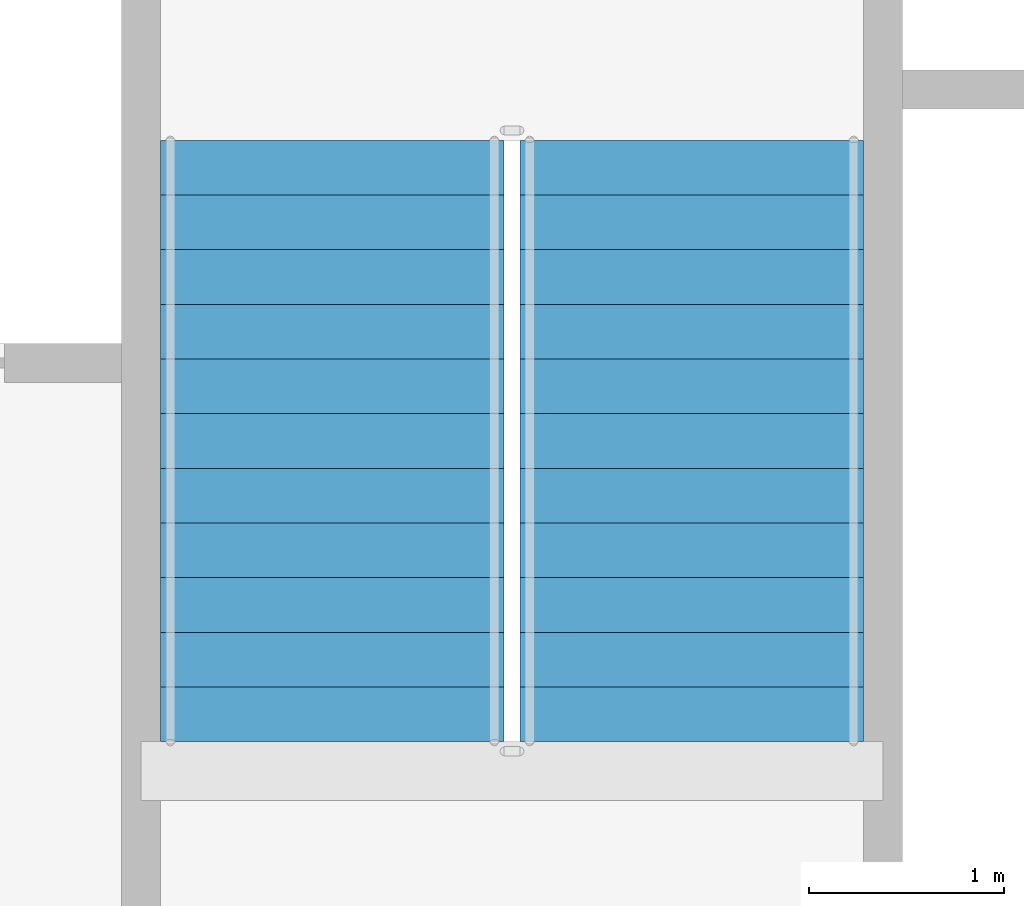
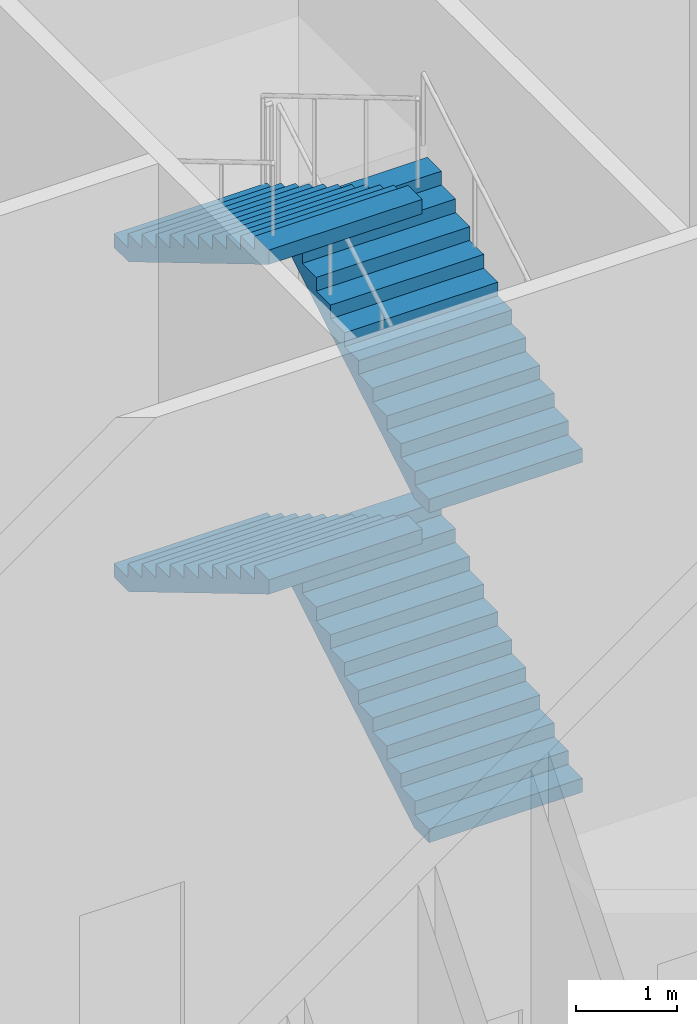
# One storey, part 47 of 55: 4 stair flights, 1 element without a shape of its own.
"""IFC4 building model written with IfcOpenShell, lengths in metres."""

from ifc_helpers import new_model, si_unit, direction, frame, origin, place, context, subcontext, project, spatial, faceted_brep, material, type_object, element, aggregate, save


model = new_model("IFC4")

# Units and contexts
model_context = context("Model", 3, precision=1e-05, world=origin(), true_north=direction((0.0, 1.0)))
body_context = subcontext(model_context, "Body", "Model", "MODEL_VIEW")
ifc_project = project(units=[si_unit("LENGTHUNIT", "METRE"), si_unit("AREAUNIT", "SQUARE_METRE"), si_unit("VOLUMEUNIT", "CUBIC_METRE"), si_unit("PLANEANGLEUNIT", "RADIAN"), si_unit("MASSUNIT", "GRAM", prefix="KILO")], contexts=[model_context])

# Site, building, storey
site_placement = place(None, origin())
site = spatial("IfcSite", under=ifc_project, at=site_placement, CompositionType="ELEMENT")
building_placement = place(site_placement, origin())
building = spatial("IfcBuilding", under=site, at=building_placement, Name="Tarsis Ring Headquarters", CompositionType="ELEMENT")
storey_placement = place(building_placement, frame((0.0, 0.0, 247.199951171875)))
storey = spatial("IfcBuildingStorey", under=building, at=storey_placement, Name="L58", CompositionType="ELEMENT", Elevation=247.199951171875)

# Stair, stair flights
ifc_material_1 = material(Name="Core stair 1760")
stair_type = type_object("IfcStairType", Name="Core stair 1760", PredefinedType="HALF_TURN_STAIR", material=ifc_material_1)
stair_placement = place(storey_placement, origin())
stair = element("IfcStair", 1, at=stair_placement, inside=storey, type_object=stair_type, Name="L58 Exit stair B", PredefinedType="HALF_TURN_STAIR")
ifc_material_2 = material(Name="Concrete C40/50", Category="concrete")
stair_flight_type = type_object("IfcStairFlightType", Name="Core stair flight 1760", PredefinedType="STRAIGHT", material=ifc_material_2)
stair_flight_1_placement = place(storey_placement, frame((5.419921875, 3.659912109375, 0.0), z_axis=(0.0, 0.0, 1.0), x_axis=(0.0, 1.0, 0.0)))
stair_flight_1 = element("IfcStairFlight", 2, at=stair_flight_1_placement, type_object=stair_flight_type, Name="Stair ST2 flight 1", NumberOfRisers=12, NumberOfTreads=11, PredefinedType="STRAIGHT", RiserHeight=0.166666667, TreadLength=0.28, context=body_context, shape_type="Brep", body=[
    faceted_brep([(0.0, 0.8798828125, 0.0), (0.0, 0.8798828125, 0.166748046875), (0.280029296875, 0.8798828125, 0.166748046875), (0.280029296875, 0.8798828125, 0.333251953125), (0.56005859375, 0.8798828125, 0.333251953125), (0.56005859375, 0.8798828125, 0.5), (0.840087890625, 0.8798828125, 0.5), (0.840087890625, 0.8798828125, 0.666748046875), (1.1201171875, 0.8798828125, 0.666748046875), (1.1201171875, 0.8798828125, 0.833251953125), (1.39990234375, 0.8798828125, 0.833251953125), (1.39990234375, 0.8798828125, 1.0), (1.679931640625, 0.8798828125, 1.0), (1.679931640625, 0.8798828125, 1.166748046875), (1.9599609375, 0.8798828125, 1.166748046875), (1.9599609375, 0.8798828125, 1.333251953125), (2.239990234375, 0.8798828125, 1.333251953125), (2.239990234375, 0.8798828125, 1.5), (2.52001953125, 0.8798828125, 1.5), (2.52001953125, 0.8798828125, 1.666748046875), (2.800048828125, 0.8798828125, 1.666748046875), (2.800048828125, 0.8798828125, 1.833251953125), (3.080078125, 0.8798828125, 1.833251953125), (3.080078125, 0.8798828125, 1.658935546875), (0.29296875, 0.8798828125, 0.0), (0.29296875, -0.8798828125, 0.0), (3.080078125, -0.8798828125, 1.658935546875), (3.080078125, -0.8798828125, 1.833251953125), (2.800048828125, -0.8798828125, 1.833251953125), (2.800048828125, -0.8798828125, 1.666748046875), (2.52001953125, -0.8798828125, 1.666748046875), (2.52001953125, -0.8798828125, 1.5), (2.239990234375, -0.8798828125, 1.5), (2.239990234375, -0.8798828125, 1.333251953125), (1.9599609375, -0.8798828125, 1.333251953125), (1.9599609375, -0.8798828125, 1.166748046875), (1.679931640625, -0.8798828125, 1.166748046875), (1.679931640625, -0.8798828125, 1.0), (1.39990234375, -0.8798828125, 1.0), (1.39990234375, -0.8798828125, 0.833251953125), (1.1201171875, -0.8798828125, 0.833251953125), (1.1201171875, -0.8798828125, 0.666748046875), (0.840087890625, -0.8798828125, 0.666748046875), (0.840087890625, -0.8798828125, 0.5), (0.56005859375, -0.8798828125, 0.5), (0.56005859375, -0.8798828125, 0.333251953125), (0.280029296875, -0.8798828125, 0.333251953125), (0.280029296875, -0.8798828125, 0.166748046875), (0.0, -0.8798828125, 0.166748046875), (0.0, -0.8798828125, 0.0), (0.0, -0.43994140625, 0.166748046875), (0.0, -0.43994140625, 0.0), (0.0, 0.0, 0.166748046875), (0.0, 0.0, 0.0), (0.0, 0.43994140625, 0.166748046875), (0.0, 0.43994140625, 0.0), (0.280029296875, -0.43994140625, 0.166748046875), (0.280029296875, 0.0, 0.166748046875), (0.280029296875, 0.43994140625, 0.166748046875), (0.280029296875, -0.43994140625, 0.333251953125), (0.280029296875, 0.0, 0.333251953125), (0.280029296875, 0.43994140625, 0.333251953125), (0.56005859375, -0.43994140625, 0.333251953125), (0.56005859375, 0.0, 0.333251953125), (0.56005859375, 0.43994140625, 0.333251953125), (0.56005859375, -0.43994140625, 0.5), (0.56005859375, 0.0, 0.5), (0.56005859375, 0.43994140625, 0.5), (0.840087890625, -0.43994140625, 0.5), (0.840087890625, 0.0, 0.5), (0.840087890625, 0.43994140625, 0.5), (0.840087890625, -0.43994140625, 0.666748046875), (0.840087890625, 0.0, 0.666748046875), (0.840087890625, 0.43994140625, 0.666748046875), (1.1201171875, -0.43994140625, 0.666748046875), (1.1201171875, 0.0, 0.666748046875), (1.1201171875, 0.43994140625, 0.666748046875), (1.1201171875, -0.43994140625, 0.833251953125), (1.1201171875, 0.0, 0.833251953125), (1.1201171875, 0.43994140625, 0.833251953125), (1.39990234375, -0.43994140625, 0.833251953125), (1.39990234375, 0.0, 0.833251953125), (1.39990234375, 0.43994140625, 0.833251953125), (1.39990234375, -0.43994140625, 1.0), (1.39990234375, 0.0, 1.0), (1.39990234375, 0.43994140625, 1.0), (1.679931640625, -0.43994140625, 1.0), (1.679931640625, 0.0, 1.0), (1.679931640625, 0.43994140625, 1.0), (1.679931640625, -0.43994140625, 1.166748046875), (1.679931640625, 0.0, 1.166748046875), (1.679931640625, 0.43994140625, 1.166748046875), (1.9599609375, -0.43994140625, 1.166748046875), (1.9599609375, 0.0, 1.166748046875), (1.9599609375, 0.43994140625, 1.166748046875), (1.9599609375, -0.43994140625, 1.333251953125), (1.9599609375, 0.0, 1.333251953125), (1.9599609375, 0.43994140625, 1.333251953125), (2.239990234375, -0.43994140625, 1.333251953125), (2.239990234375, 0.0, 1.333251953125), (2.239990234375, 0.43994140625, 1.333251953125), (2.239990234375, -0.43994140625, 1.5), (2.239990234375, 0.0, 1.5), (2.239990234375, 0.43994140625, 1.5), (2.52001953125, -0.43994140625, 1.5), (2.52001953125, 0.0, 1.5), (2.52001953125, 0.43994140625, 1.5), (2.52001953125, -0.43994140625, 1.666748046875), (2.52001953125, 0.0, 1.666748046875), (2.52001953125, 0.43994140625, 1.666748046875), (2.800048828125, -0.43994140625, 1.666748046875), (2.800048828125, 0.0, 1.666748046875), (2.800048828125, 0.43994140625, 1.666748046875), (2.800048828125, -0.43994140625, 1.833251953125), (2.800048828125, 0.0, 1.833251953125), (2.800048828125, 0.43994140625, 1.833251953125), (3.080078125, -0.43994140625, 1.833251953125), (3.080078125, 0.0, 1.833251953125), (3.080078125, 0.43994140625, 1.833251953125), (3.080078125, -0.43994140625, 1.658935546875), (3.080078125, 0.0, 1.658935546875), (3.080078125, 0.43994140625, 1.658935546875), (0.29296875, -0.43994140625, 0.0), (0.29296875, 0.0, 0.0), (0.29296875, 0.43994140625, 0.0)], [[[0, 1, 2, 3, 4, 5, 6, 7, 8, 9, 10, 11, 12, 13, 14, 15, 16, 17, 18, 19, 20, 21, 22, 23, 24]], [[25, 26, 27, 28, 29, 30, 31, 32, 33, 34, 35, 36, 37, 38, 39, 40, 41, 42, 43, 44, 45, 46, 47, 48, 49]], [[49, 48, 50, 51]], [[51, 50, 52, 53]], [[53, 52, 54, 55]], [[55, 54, 1, 0]], [[48, 47, 56, 50]], [[50, 56, 57, 52]], [[52, 57, 58, 54]], [[54, 58, 2, 1]], [[47, 46, 59, 56]], [[56, 59, 60, 57]], [[57, 60, 61, 58]], [[58, 61, 3, 2]], [[46, 45, 62, 59]], [[59, 62, 63, 60]], [[60, 63, 64, 61]], [[61, 64, 4, 3]], [[45, 44, 65, 62]], [[62, 65, 66, 63]], [[63, 66, 67, 64]], [[64, 67, 5, 4]], [[44, 43, 68, 65]], [[65, 68, 69, 66]], [[66, 69, 70, 67]], [[67, 70, 6, 5]], [[43, 42, 71, 68]], [[68, 71, 72, 69]], [[69, 72, 73, 70]], [[70, 73, 7, 6]], [[42, 41, 74, 71]], [[71, 74, 75, 72]], [[72, 75, 76, 73]], [[73, 76, 8, 7]], [[41, 40, 77, 74]], [[74, 77, 78, 75]], [[75, 78, 79, 76]], [[76, 79, 9, 8]], [[40, 39, 80, 77]], [[77, 80, 81, 78]], [[78, 81, 82, 79]], [[79, 82, 10, 9]], [[39, 38, 83, 80]], [[80, 83, 84, 81]], [[81, 84, 85, 82]], [[82, 85, 11, 10]], [[38, 37, 86, 83]], [[83, 86, 87, 84]], [[84, 87, 88, 85]], [[85, 88, 12, 11]], [[37, 36, 89, 86]], [[86, 89, 90, 87]], [[87, 90, 91, 88]], [[88, 91, 13, 12]], [[36, 35, 92, 89]], [[89, 92, 93, 90]], [[90, 93, 94, 91]], [[91, 94, 14, 13]], [[35, 34, 95, 92]], [[92, 95, 96, 93]], [[93, 96, 97, 94]], [[94, 97, 15, 14]], [[34, 33, 98, 95]], [[95, 98, 99, 96]], [[96, 99, 100, 97]], [[97, 100, 16, 15]], [[33, 32, 101, 98]], [[98, 101, 102, 99]], [[99, 102, 103, 100]], [[100, 103, 17, 16]], [[32, 31, 104, 101]], [[101, 104, 105, 102]], [[102, 105, 106, 103]], [[103, 106, 18, 17]], [[31, 30, 107, 104]], [[104, 107, 108, 105]], [[105, 108, 109, 106]], [[106, 109, 19, 18]], [[30, 29, 110, 107]], [[107, 110, 111, 108]], [[108, 111, 112, 109]], [[109, 112, 20, 19]], [[29, 28, 113, 110]], [[110, 113, 114, 111]], [[111, 114, 115, 112]], [[112, 115, 21, 20]], [[28, 27, 116, 113]], [[113, 116, 117, 114]], [[114, 117, 118, 115]], [[115, 118, 22, 21]], [[27, 26, 119, 116]], [[116, 119, 120, 117]], [[117, 120, 121, 118]], [[118, 121, 23, 22]], [[26, 25, 122, 119]], [[119, 122, 123, 120]], [[120, 123, 124, 121]], [[121, 124, 24, 23]], [[25, 49, 51, 122]], [[122, 51, 53, 123]], [[123, 53, 55, 124]], [[124, 55, 0, 24]]]),
])
stair_flight_2_placement = place(storey_placement, frame((3.580078125, 6.739990234375, 2.0), z_axis=(0.0, 0.0, 1.0), x_axis=(0.0, -1.0, 0.0)))
stair_flight_2 = element("IfcStairFlight", 3, at=stair_flight_2_placement, type_object=stair_flight_type, Name="Stair ST2 flight 2", NumberOfRisers=12, NumberOfTreads=11, PredefinedType="STRAIGHT", RiserHeight=0.166666667, TreadLength=0.28, context=body_context, shape_type="Brep", body=[
    faceted_brep([(0.0, 0.8798828125, 0.0), (0.0, 0.8798828125, 0.166748046875), (0.280029296875, 0.8798828125, 0.166748046875), (0.280029296875, 0.8798828125, 0.333251953125), (0.56005859375, 0.8798828125, 0.333251953125), (0.56005859375, 0.8798828125, 0.5), (0.840087890625, 0.8798828125, 0.5), (0.840087890625, 0.8798828125, 0.666748046875), (1.1201171875, 0.8798828125, 0.666748046875), (1.1201171875, 0.8798828125, 0.833251953125), (1.39990234375, 0.8798828125, 0.833251953125), (1.39990234375, 0.8798828125, 1.0), (1.679931640625, 0.8798828125, 1.0), (1.679931640625, 0.8798828125, 1.166748046875), (1.9599609375, 0.8798828125, 1.166748046875), (1.9599609375, 0.8798828125, 1.333251953125), (2.239990234375, 0.8798828125, 1.333251953125), (2.239990234375, 0.8798828125, 1.5), (2.52001953125, 0.8798828125, 1.5), (2.52001953125, 0.8798828125, 1.666748046875), (2.800048828125, 0.8798828125, 1.666748046875), (2.800048828125, 0.8798828125, 1.833251953125), (3.080078125, 0.8798828125, 1.833251953125), (3.080078125, 0.8798828125, 1.658935546875), (0.29296875, 0.8798828125, 0.0), (0.29296875, -0.8798828125, 0.0), (3.080078125, -0.8798828125, 1.658935546875), (3.080078125, -0.8798828125, 1.833251953125), (2.800048828125, -0.8798828125, 1.833251953125), (2.800048828125, -0.8798828125, 1.666748046875), (2.52001953125, -0.8798828125, 1.666748046875), (2.52001953125, -0.8798828125, 1.5), (2.239990234375, -0.8798828125, 1.5), (2.239990234375, -0.8798828125, 1.333251953125), (1.9599609375, -0.8798828125, 1.333251953125), (1.9599609375, -0.8798828125, 1.166748046875), (1.679931640625, -0.8798828125, 1.166748046875), (1.679931640625, -0.8798828125, 1.0), (1.39990234375, -0.8798828125, 1.0), (1.39990234375, -0.8798828125, 0.833251953125), (1.1201171875, -0.8798828125, 0.833251953125), (1.1201171875, -0.8798828125, 0.666748046875), (0.840087890625, -0.8798828125, 0.666748046875), (0.840087890625, -0.8798828125, 0.5), (0.56005859375, -0.8798828125, 0.5), (0.56005859375, -0.8798828125, 0.333251953125), (0.280029296875, -0.8798828125, 0.333251953125), (0.280029296875, -0.8798828125, 0.166748046875), (0.0, -0.8798828125, 0.166748046875), (0.0, -0.8798828125, 0.0), (0.0, -0.43994140625, 0.166748046875), (0.0, -0.43994140625, 0.0), (0.0, 0.0, 0.166748046875), (0.0, 0.0, 0.0), (0.0, 0.43994140625, 0.166748046875), (0.0, 0.43994140625, 0.0), (0.280029296875, -0.43994140625, 0.166748046875), (0.280029296875, 0.0, 0.166748046875), (0.280029296875, 0.43994140625, 0.166748046875), (0.280029296875, -0.43994140625, 0.333251953125), (0.280029296875, 0.0, 0.333251953125), (0.280029296875, 0.43994140625, 0.333251953125), (0.56005859375, -0.43994140625, 0.333251953125), (0.56005859375, 0.0, 0.333251953125), (0.56005859375, 0.43994140625, 0.333251953125), (0.56005859375, -0.43994140625, 0.5), (0.56005859375, 0.0, 0.5), (0.56005859375, 0.43994140625, 0.5), (0.840087890625, -0.43994140625, 0.5), (0.840087890625, 0.0, 0.5), (0.840087890625, 0.43994140625, 0.5), (0.840087890625, -0.43994140625, 0.666748046875), (0.840087890625, 0.0, 0.666748046875), (0.840087890625, 0.43994140625, 0.666748046875), (1.1201171875, -0.43994140625, 0.666748046875), (1.1201171875, 0.0, 0.666748046875), (1.1201171875, 0.43994140625, 0.666748046875), (1.1201171875, -0.43994140625, 0.833251953125), (1.1201171875, 0.0, 0.833251953125), (1.1201171875, 0.43994140625, 0.833251953125), (1.39990234375, -0.43994140625, 0.833251953125), (1.39990234375, 0.0, 0.833251953125), (1.39990234375, 0.43994140625, 0.833251953125), (1.39990234375, -0.43994140625, 1.0), (1.39990234375, 0.0, 1.0), (1.39990234375, 0.43994140625, 1.0), (1.679931640625, -0.43994140625, 1.0), (1.679931640625, 0.0, 1.0), (1.679931640625, 0.43994140625, 1.0), (1.679931640625, -0.43994140625, 1.166748046875), (1.679931640625, 0.0, 1.166748046875), (1.679931640625, 0.43994140625, 1.166748046875), (1.9599609375, -0.43994140625, 1.166748046875), (1.9599609375, 0.0, 1.166748046875), (1.9599609375, 0.43994140625, 1.166748046875), (1.9599609375, -0.43994140625, 1.333251953125), (1.9599609375, 0.0, 1.333251953125), (1.9599609375, 0.43994140625, 1.333251953125), (2.239990234375, -0.43994140625, 1.333251953125), (2.239990234375, 0.0, 1.333251953125), (2.239990234375, 0.43994140625, 1.333251953125), (2.239990234375, -0.43994140625, 1.5), (2.239990234375, 0.0, 1.5), (2.239990234375, 0.43994140625, 1.5), (2.52001953125, -0.43994140625, 1.5), (2.52001953125, 0.0, 1.5), (2.52001953125, 0.43994140625, 1.5), (2.52001953125, -0.43994140625, 1.666748046875), (2.52001953125, 0.0, 1.666748046875), (2.52001953125, 0.43994140625, 1.666748046875), (2.800048828125, -0.43994140625, 1.666748046875), (2.800048828125, 0.0, 1.666748046875), (2.800048828125, 0.43994140625, 1.666748046875), (2.800048828125, -0.43994140625, 1.833251953125), (2.800048828125, 0.0, 1.833251953125), (2.800048828125, 0.43994140625, 1.833251953125), (3.080078125, -0.43994140625, 1.833251953125), (3.080078125, 0.0, 1.833251953125), (3.080078125, 0.43994140625, 1.833251953125), (3.080078125, -0.43994140625, 1.658935546875), (3.080078125, 0.0, 1.658935546875), (3.080078125, 0.43994140625, 1.658935546875), (0.29296875, -0.43994140625, 0.0), (0.29296875, 0.0, 0.0), (0.29296875, 0.43994140625, 0.0)], [[[0, 1, 2, 3, 4, 5, 6, 7, 8, 9, 10, 11, 12, 13, 14, 15, 16, 17, 18, 19, 20, 21, 22, 23, 24]], [[25, 26, 27, 28, 29, 30, 31, 32, 33, 34, 35, 36, 37, 38, 39, 40, 41, 42, 43, 44, 45, 46, 47, 48, 49]], [[49, 48, 50, 51]], [[51, 50, 52, 53]], [[53, 52, 54, 55]], [[55, 54, 1, 0]], [[48, 47, 56, 50]], [[50, 56, 57, 52]], [[52, 57, 58, 54]], [[54, 58, 2, 1]], [[47, 46, 59, 56]], [[56, 59, 60, 57]], [[57, 60, 61, 58]], [[58, 61, 3, 2]], [[46, 45, 62, 59]], [[59, 62, 63, 60]], [[60, 63, 64, 61]], [[61, 64, 4, 3]], [[45, 44, 65, 62]], [[62, 65, 66, 63]], [[63, 66, 67, 64]], [[64, 67, 5, 4]], [[44, 43, 68, 65]], [[65, 68, 69, 66]], [[66, 69, 70, 67]], [[67, 70, 6, 5]], [[43, 42, 71, 68]], [[68, 71, 72, 69]], [[69, 72, 73, 70]], [[70, 73, 7, 6]], [[42, 41, 74, 71]], [[71, 74, 75, 72]], [[72, 75, 76, 73]], [[73, 76, 8, 7]], [[41, 40, 77, 74]], [[74, 77, 78, 75]], [[75, 78, 79, 76]], [[76, 79, 9, 8]], [[40, 39, 80, 77]], [[77, 80, 81, 78]], [[78, 81, 82, 79]], [[79, 82, 10, 9]], [[39, 38, 83, 80]], [[80, 83, 84, 81]], [[81, 84, 85, 82]], [[82, 85, 11, 10]], [[38, 37, 86, 83]], [[83, 86, 87, 84]], [[84, 87, 88, 85]], [[85, 88, 12, 11]], [[37, 36, 89, 86]], [[86, 89, 90, 87]], [[87, 90, 91, 88]], [[88, 91, 13, 12]], [[36, 35, 92, 89]], [[89, 92, 93, 90]], [[90, 93, 94, 91]], [[91, 94, 14, 13]], [[35, 34, 95, 92]], [[92, 95, 96, 93]], [[93, 96, 97, 94]], [[94, 97, 15, 14]], [[34, 33, 98, 95]], [[95, 98, 99, 96]], [[96, 99, 100, 97]], [[97, 100, 16, 15]], [[33, 32, 101, 98]], [[98, 101, 102, 99]], [[99, 102, 103, 100]], [[100, 103, 17, 16]], [[32, 31, 104, 101]], [[101, 104, 105, 102]], [[102, 105, 106, 103]], [[103, 106, 18, 17]], [[31, 30, 107, 104]], [[104, 107, 108, 105]], [[105, 108, 109, 106]], [[106, 109, 19, 18]], [[30, 29, 110, 107]], [[107, 110, 111, 108]], [[108, 111, 112, 109]], [[109, 112, 20, 19]], [[29, 28, 113, 110]], [[110, 113, 114, 111]], [[111, 114, 115, 112]], [[112, 115, 21, 20]], [[28, 27, 116, 113]], [[113, 116, 117, 114]], [[114, 117, 118, 115]], [[115, 118, 22, 21]], [[27, 26, 119, 116]], [[116, 119, 120, 117]], [[117, 120, 121, 118]], [[118, 121, 23, 22]], [[26, 25, 122, 119]], [[119, 122, 123, 120]], [[120, 123, 124, 121]], [[121, 124, 24, 23]], [[25, 49, 51, 122]], [[122, 51, 53, 123]], [[123, 53, 55, 124]], [[124, 55, 0, 24]]]),
])
stair_flight_3_placement = place(storey_placement, frame((5.419921875, 3.659912109375, 4.0), z_axis=(0.0, 0.0, 1.0), x_axis=(0.0, 1.0, 0.0)))
stair_flight_3 = element("IfcStairFlight", 4, at=stair_flight_3_placement, type_object=stair_flight_type, Name="Stair ST2 flight 3", NumberOfRisers=12, NumberOfTreads=11, PredefinedType="STRAIGHT", RiserHeight=0.166666667, TreadLength=0.28, context=body_context, shape_type="Brep", body=[
    faceted_brep([(0.0, 0.8798828125, 0.0), (0.0, 0.8798828125, 0.166748046875), (0.280029296875, 0.8798828125, 0.166748046875), (0.280029296875, 0.8798828125, 0.333251953125), (0.56005859375, 0.8798828125, 0.333251953125), (0.56005859375, 0.8798828125, 0.5), (0.840087890625, 0.8798828125, 0.5), (0.840087890625, 0.8798828125, 0.666748046875), (1.1201171875, 0.8798828125, 0.666748046875), (1.1201171875, 0.8798828125, 0.833251953125), (1.39990234375, 0.8798828125, 0.833251953125), (1.39990234375, 0.8798828125, 1.0), (1.679931640625, 0.8798828125, 1.0), (1.679931640625, 0.8798828125, 1.166748046875), (1.9599609375, 0.8798828125, 1.166748046875), (1.9599609375, 0.8798828125, 1.333251953125), (2.239990234375, 0.8798828125, 1.333251953125), (2.239990234375, 0.8798828125, 1.5), (2.52001953125, 0.8798828125, 1.5), (2.52001953125, 0.8798828125, 1.666748046875), (2.800048828125, 0.8798828125, 1.666748046875), (2.800048828125, 0.8798828125, 1.833251953125), (3.080078125, 0.8798828125, 1.833251953125), (3.080078125, 0.8798828125, 1.658935546875), (0.29296875, 0.8798828125, 0.0), (0.29296875, -0.8798828125, 0.0), (3.080078125, -0.8798828125, 1.658935546875), (3.080078125, -0.8798828125, 1.833251953125), (2.800048828125, -0.8798828125, 1.833251953125), (2.800048828125, -0.8798828125, 1.666748046875), (2.52001953125, -0.8798828125, 1.666748046875), (2.52001953125, -0.8798828125, 1.5), (2.239990234375, -0.8798828125, 1.5), (2.239990234375, -0.8798828125, 1.333251953125), (1.9599609375, -0.8798828125, 1.333251953125), (1.9599609375, -0.8798828125, 1.166748046875), (1.679931640625, -0.8798828125, 1.166748046875), (1.679931640625, -0.8798828125, 1.0), (1.39990234375, -0.8798828125, 1.0), (1.39990234375, -0.8798828125, 0.833251953125), (1.1201171875, -0.8798828125, 0.833251953125), (1.1201171875, -0.8798828125, 0.666748046875), (0.840087890625, -0.8798828125, 0.666748046875), (0.840087890625, -0.8798828125, 0.5), (0.56005859375, -0.8798828125, 0.5), (0.56005859375, -0.8798828125, 0.333251953125), (0.280029296875, -0.8798828125, 0.333251953125), (0.280029296875, -0.8798828125, 0.166748046875), (0.0, -0.8798828125, 0.166748046875), (0.0, -0.8798828125, 0.0), (0.0, -0.43994140625, 0.166748046875), (0.0, -0.43994140625, 0.0), (0.0, 0.0, 0.166748046875), (0.0, 0.0, 0.0), (0.0, 0.43994140625, 0.166748046875), (0.0, 0.43994140625, 0.0), (0.280029296875, -0.43994140625, 0.166748046875), (0.280029296875, 0.0, 0.166748046875), (0.280029296875, 0.43994140625, 0.166748046875), (0.280029296875, -0.43994140625, 0.333251953125), (0.280029296875, 0.0, 0.333251953125), (0.280029296875, 0.43994140625, 0.333251953125), (0.56005859375, -0.43994140625, 0.333251953125), (0.56005859375, 0.0, 0.333251953125), (0.56005859375, 0.43994140625, 0.333251953125), (0.56005859375, -0.43994140625, 0.5), (0.56005859375, 0.0, 0.5), (0.56005859375, 0.43994140625, 0.5), (0.840087890625, -0.43994140625, 0.5), (0.840087890625, 0.0, 0.5), (0.840087890625, 0.43994140625, 0.5), (0.840087890625, -0.43994140625, 0.666748046875), (0.840087890625, 0.0, 0.666748046875), (0.840087890625, 0.43994140625, 0.666748046875), (1.1201171875, -0.43994140625, 0.666748046875), (1.1201171875, 0.0, 0.666748046875), (1.1201171875, 0.43994140625, 0.666748046875), (1.1201171875, -0.43994140625, 0.833251953125), (1.1201171875, 0.0, 0.833251953125), (1.1201171875, 0.43994140625, 0.833251953125), (1.39990234375, -0.43994140625, 0.833251953125), (1.39990234375, 0.0, 0.833251953125), (1.39990234375, 0.43994140625, 0.833251953125), (1.39990234375, -0.43994140625, 1.0), (1.39990234375, 0.0, 1.0), (1.39990234375, 0.43994140625, 1.0), (1.679931640625, -0.43994140625, 1.0), (1.679931640625, 0.0, 1.0), (1.679931640625, 0.43994140625, 1.0), (1.679931640625, -0.43994140625, 1.166748046875), (1.679931640625, 0.0, 1.166748046875), (1.679931640625, 0.43994140625, 1.166748046875), (1.9599609375, -0.43994140625, 1.166748046875), (1.9599609375, 0.0, 1.166748046875), (1.9599609375, 0.43994140625, 1.166748046875), (1.9599609375, -0.43994140625, 1.333251953125), (1.9599609375, 0.0, 1.333251953125), (1.9599609375, 0.43994140625, 1.333251953125), (2.239990234375, -0.43994140625, 1.333251953125), (2.239990234375, 0.0, 1.333251953125), (2.239990234375, 0.43994140625, 1.333251953125), (2.239990234375, -0.43994140625, 1.5), (2.239990234375, 0.0, 1.5), (2.239990234375, 0.43994140625, 1.5), (2.52001953125, -0.43994140625, 1.5), (2.52001953125, 0.0, 1.5), (2.52001953125, 0.43994140625, 1.5), (2.52001953125, -0.43994140625, 1.666748046875), (2.52001953125, 0.0, 1.666748046875), (2.52001953125, 0.43994140625, 1.666748046875), (2.800048828125, -0.43994140625, 1.666748046875), (2.800048828125, 0.0, 1.666748046875), (2.800048828125, 0.43994140625, 1.666748046875), (2.800048828125, -0.43994140625, 1.833251953125), (2.800048828125, 0.0, 1.833251953125), (2.800048828125, 0.43994140625, 1.833251953125), (3.080078125, -0.43994140625, 1.833251953125), (3.080078125, 0.0, 1.833251953125), (3.080078125, 0.43994140625, 1.833251953125), (3.080078125, -0.43994140625, 1.658935546875), (3.080078125, 0.0, 1.658935546875), (3.080078125, 0.43994140625, 1.658935546875), (0.29296875, -0.43994140625, 0.0), (0.29296875, 0.0, 0.0), (0.29296875, 0.43994140625, 0.0)], [[[0, 1, 2, 3, 4, 5, 6, 7, 8, 9, 10, 11, 12, 13, 14, 15, 16, 17, 18, 19, 20, 21, 22, 23, 24]], [[25, 26, 27, 28, 29, 30, 31, 32, 33, 34, 35, 36, 37, 38, 39, 40, 41, 42, 43, 44, 45, 46, 47, 48, 49]], [[49, 48, 50, 51]], [[51, 50, 52, 53]], [[53, 52, 54, 55]], [[55, 54, 1, 0]], [[48, 47, 56, 50]], [[50, 56, 57, 52]], [[52, 57, 58, 54]], [[54, 58, 2, 1]], [[47, 46, 59, 56]], [[56, 59, 60, 57]], [[57, 60, 61, 58]], [[58, 61, 3, 2]], [[46, 45, 62, 59]], [[59, 62, 63, 60]], [[60, 63, 64, 61]], [[61, 64, 4, 3]], [[45, 44, 65, 62]], [[62, 65, 66, 63]], [[63, 66, 67, 64]], [[64, 67, 5, 4]], [[44, 43, 68, 65]], [[65, 68, 69, 66]], [[66, 69, 70, 67]], [[67, 70, 6, 5]], [[43, 42, 71, 68]], [[68, 71, 72, 69]], [[69, 72, 73, 70]], [[70, 73, 7, 6]], [[42, 41, 74, 71]], [[71, 74, 75, 72]], [[72, 75, 76, 73]], [[73, 76, 8, 7]], [[41, 40, 77, 74]], [[74, 77, 78, 75]], [[75, 78, 79, 76]], [[76, 79, 9, 8]], [[40, 39, 80, 77]], [[77, 80, 81, 78]], [[78, 81, 82, 79]], [[79, 82, 10, 9]], [[39, 38, 83, 80]], [[80, 83, 84, 81]], [[81, 84, 85, 82]], [[82, 85, 11, 10]], [[38, 37, 86, 83]], [[83, 86, 87, 84]], [[84, 87, 88, 85]], [[85, 88, 12, 11]], [[37, 36, 89, 86]], [[86, 89, 90, 87]], [[87, 90, 91, 88]], [[88, 91, 13, 12]], [[36, 35, 92, 89]], [[89, 92, 93, 90]], [[90, 93, 94, 91]], [[91, 94, 14, 13]], [[35, 34, 95, 92]], [[92, 95, 96, 93]], [[93, 96, 97, 94]], [[94, 97, 15, 14]], [[34, 33, 98, 95]], [[95, 98, 99, 96]], [[96, 99, 100, 97]], [[97, 100, 16, 15]], [[33, 32, 101, 98]], [[98, 101, 102, 99]], [[99, 102, 103, 100]], [[100, 103, 17, 16]], [[32, 31, 104, 101]], [[101, 104, 105, 102]], [[102, 105, 106, 103]], [[103, 106, 18, 17]], [[31, 30, 107, 104]], [[104, 107, 108, 105]], [[105, 108, 109, 106]], [[106, 109, 19, 18]], [[30, 29, 110, 107]], [[107, 110, 111, 108]], [[108, 111, 112, 109]], [[109, 112, 20, 19]], [[29, 28, 113, 110]], [[110, 113, 114, 111]], [[111, 114, 115, 112]], [[112, 115, 21, 20]], [[28, 27, 116, 113]], [[113, 116, 117, 114]], [[114, 117, 118, 115]], [[115, 118, 22, 21]], [[27, 26, 119, 116]], [[116, 119, 120, 117]], [[117, 120, 121, 118]], [[118, 121, 23, 22]], [[26, 25, 122, 119]], [[119, 122, 123, 120]], [[120, 123, 124, 121]], [[121, 124, 24, 23]], [[25, 49, 51, 122]], [[122, 51, 53, 123]], [[123, 53, 55, 124]], [[124, 55, 0, 24]]]),
])
stair_flight_4_placement = place(storey_placement, frame((3.580078125, 6.739990234375, 6.0), z_axis=(0.0, 0.0, 1.0), x_axis=(0.0, -1.0, 0.0)))
stair_flight_4 = element("IfcStairFlight", 5, at=stair_flight_4_placement, type_object=stair_flight_type, Name="Stair ST2 flight 4", NumberOfRisers=12, NumberOfTreads=11, PredefinedType="STRAIGHT", RiserHeight=0.166666667, TreadLength=0.28, context=body_context, shape_type="Brep", body=[
    faceted_brep([(0.0, 0.8798828125, 0.0), (0.0, 0.8798828125, 0.166748046875), (0.280029296875, 0.8798828125, 0.166748046875), (0.280029296875, 0.8798828125, 0.333251953125), (0.56005859375, 0.8798828125, 0.333251953125), (0.56005859375, 0.8798828125, 0.5), (0.840087890625, 0.8798828125, 0.5), (0.840087890625, 0.8798828125, 0.666748046875), (1.1201171875, 0.8798828125, 0.666748046875), (1.1201171875, 0.8798828125, 0.833251953125), (1.39990234375, 0.8798828125, 0.833251953125), (1.39990234375, 0.8798828125, 1.0), (1.679931640625, 0.8798828125, 1.0), (1.679931640625, 0.8798828125, 1.166748046875), (1.9599609375, 0.8798828125, 1.166748046875), (1.9599609375, 0.8798828125, 1.333251953125), (2.239990234375, 0.8798828125, 1.333251953125), (2.239990234375, 0.8798828125, 1.5), (2.52001953125, 0.8798828125, 1.5), (2.52001953125, 0.8798828125, 1.666748046875), (2.800048828125, 0.8798828125, 1.666748046875), (2.800048828125, 0.8798828125, 1.833251953125), (3.080078125, 0.8798828125, 1.833251953125), (3.080078125, 0.8798828125, 1.658935546875), (0.29296875, 0.8798828125, 0.0), (0.29296875, -0.8798828125, 0.0), (3.080078125, -0.8798828125, 1.658935546875), (3.080078125, -0.8798828125, 1.833251953125), (2.800048828125, -0.8798828125, 1.833251953125), (2.800048828125, -0.8798828125, 1.666748046875), (2.52001953125, -0.8798828125, 1.666748046875), (2.52001953125, -0.8798828125, 1.5), (2.239990234375, -0.8798828125, 1.5), (2.239990234375, -0.8798828125, 1.333251953125), (1.9599609375, -0.8798828125, 1.333251953125), (1.9599609375, -0.8798828125, 1.166748046875), (1.679931640625, -0.8798828125, 1.166748046875), (1.679931640625, -0.8798828125, 1.0), (1.39990234375, -0.8798828125, 1.0), (1.39990234375, -0.8798828125, 0.833251953125), (1.1201171875, -0.8798828125, 0.833251953125), (1.1201171875, -0.8798828125, 0.666748046875), (0.840087890625, -0.8798828125, 0.666748046875), (0.840087890625, -0.8798828125, 0.5), (0.56005859375, -0.8798828125, 0.5), (0.56005859375, -0.8798828125, 0.333251953125), (0.280029296875, -0.8798828125, 0.333251953125), (0.280029296875, -0.8798828125, 0.166748046875), (0.0, -0.8798828125, 0.166748046875), (0.0, -0.8798828125, 0.0), (0.0, -0.43994140625, 0.166748046875), (0.0, -0.43994140625, 0.0), (0.0, 0.0, 0.166748046875), (0.0, 0.0, 0.0), (0.0, 0.43994140625, 0.166748046875), (0.0, 0.43994140625, 0.0), (0.280029296875, -0.43994140625, 0.166748046875), (0.280029296875, 0.0, 0.166748046875), (0.280029296875, 0.43994140625, 0.166748046875), (0.280029296875, -0.43994140625, 0.333251953125), (0.280029296875, 0.0, 0.333251953125), (0.280029296875, 0.43994140625, 0.333251953125), (0.56005859375, -0.43994140625, 0.333251953125), (0.56005859375, 0.0, 0.333251953125), (0.56005859375, 0.43994140625, 0.333251953125), (0.56005859375, -0.43994140625, 0.5), (0.56005859375, 0.0, 0.5), (0.56005859375, 0.43994140625, 0.5), (0.840087890625, -0.43994140625, 0.5), (0.840087890625, 0.0, 0.5), (0.840087890625, 0.43994140625, 0.5), (0.840087890625, -0.43994140625, 0.666748046875), (0.840087890625, 0.0, 0.666748046875), (0.840087890625, 0.43994140625, 0.666748046875), (1.1201171875, -0.43994140625, 0.666748046875), (1.1201171875, 0.0, 0.666748046875), (1.1201171875, 0.43994140625, 0.666748046875), (1.1201171875, -0.43994140625, 0.833251953125), (1.1201171875, 0.0, 0.833251953125), (1.1201171875, 0.43994140625, 0.833251953125), (1.39990234375, -0.43994140625, 0.833251953125), (1.39990234375, 0.0, 0.833251953125), (1.39990234375, 0.43994140625, 0.833251953125), (1.39990234375, -0.43994140625, 1.0), (1.39990234375, 0.0, 1.0), (1.39990234375, 0.43994140625, 1.0), (1.679931640625, -0.43994140625, 1.0), (1.679931640625, 0.0, 1.0), (1.679931640625, 0.43994140625, 1.0), (1.679931640625, -0.43994140625, 1.166748046875), (1.679931640625, 0.0, 1.166748046875), (1.679931640625, 0.43994140625, 1.166748046875), (1.9599609375, -0.43994140625, 1.166748046875), (1.9599609375, 0.0, 1.166748046875), (1.9599609375, 0.43994140625, 1.166748046875), (1.9599609375, -0.43994140625, 1.333251953125), (1.9599609375, 0.0, 1.333251953125), (1.9599609375, 0.43994140625, 1.333251953125), (2.239990234375, -0.43994140625, 1.333251953125), (2.239990234375, 0.0, 1.333251953125), (2.239990234375, 0.43994140625, 1.333251953125), (2.239990234375, -0.43994140625, 1.5), (2.239990234375, 0.0, 1.5), (2.239990234375, 0.43994140625, 1.5), (2.52001953125, -0.43994140625, 1.5), (2.52001953125, 0.0, 1.5), (2.52001953125, 0.43994140625, 1.5), (2.52001953125, -0.43994140625, 1.666748046875), (2.52001953125, 0.0, 1.666748046875), (2.52001953125, 0.43994140625, 1.666748046875), (2.800048828125, -0.43994140625, 1.666748046875), (2.800048828125, 0.0, 1.666748046875), (2.800048828125, 0.43994140625, 1.666748046875), (2.800048828125, -0.43994140625, 1.833251953125), (2.800048828125, 0.0, 1.833251953125), (2.800048828125, 0.43994140625, 1.833251953125), (3.080078125, -0.43994140625, 1.833251953125), (3.080078125, 0.0, 1.833251953125), (3.080078125, 0.43994140625, 1.833251953125), (3.080078125, -0.43994140625, 1.658935546875), (3.080078125, 0.0, 1.658935546875), (3.080078125, 0.43994140625, 1.658935546875), (0.29296875, -0.43994140625, 0.0), (0.29296875, 0.0, 0.0), (0.29296875, 0.43994140625, 0.0)], [[[0, 1, 2, 3, 4, 5, 6, 7, 8, 9, 10, 11, 12, 13, 14, 15, 16, 17, 18, 19, 20, 21, 22, 23, 24]], [[25, 26, 27, 28, 29, 30, 31, 32, 33, 34, 35, 36, 37, 38, 39, 40, 41, 42, 43, 44, 45, 46, 47, 48, 49]], [[49, 48, 50, 51]], [[51, 50, 52, 53]], [[53, 52, 54, 55]], [[55, 54, 1, 0]], [[48, 47, 56, 50]], [[50, 56, 57, 52]], [[52, 57, 58, 54]], [[54, 58, 2, 1]], [[47, 46, 59, 56]], [[56, 59, 60, 57]], [[57, 60, 61, 58]], [[58, 61, 3, 2]], [[46, 45, 62, 59]], [[59, 62, 63, 60]], [[60, 63, 64, 61]], [[61, 64, 4, 3]], [[45, 44, 65, 62]], [[62, 65, 66, 63]], [[63, 66, 67, 64]], [[64, 67, 5, 4]], [[44, 43, 68, 65]], [[65, 68, 69, 66]], [[66, 69, 70, 67]], [[67, 70, 6, 5]], [[43, 42, 71, 68]], [[68, 71, 72, 69]], [[69, 72, 73, 70]], [[70, 73, 7, 6]], [[42, 41, 74, 71]], [[71, 74, 75, 72]], [[72, 75, 76, 73]], [[73, 76, 8, 7]], [[41, 40, 77, 74]], [[74, 77, 78, 75]], [[75, 78, 79, 76]], [[76, 79, 9, 8]], [[40, 39, 80, 77]], [[77, 80, 81, 78]], [[78, 81, 82, 79]], [[79, 82, 10, 9]], [[39, 38, 83, 80]], [[80, 83, 84, 81]], [[81, 84, 85, 82]], [[82, 85, 11, 10]], [[38, 37, 86, 83]], [[83, 86, 87, 84]], [[84, 87, 88, 85]], [[85, 88, 12, 11]], [[37, 36, 89, 86]], [[86, 89, 90, 87]], [[87, 90, 91, 88]], [[88, 91, 13, 12]], [[36, 35, 92, 89]], [[89, 92, 93, 90]], [[90, 93, 94, 91]], [[91, 94, 14, 13]], [[35, 34, 95, 92]], [[92, 95, 96, 93]], [[93, 96, 97, 94]], [[94, 97, 15, 14]], [[34, 33, 98, 95]], [[95, 98, 99, 96]], [[96, 99, 100, 97]], [[97, 100, 16, 15]], [[33, 32, 101, 98]], [[98, 101, 102, 99]], [[99, 102, 103, 100]], [[100, 103, 17, 16]], [[32, 31, 104, 101]], [[101, 104, 105, 102]], [[102, 105, 106, 103]], [[103, 106, 18, 17]], [[31, 30, 107, 104]], [[104, 107, 108, 105]], [[105, 108, 109, 106]], [[106, 109, 19, 18]], [[30, 29, 110, 107]], [[107, 110, 111, 108]], [[108, 111, 112, 109]], [[109, 112, 20, 19]], [[29, 28, 113, 110]], [[110, 113, 114, 111]], [[111, 114, 115, 112]], [[112, 115, 21, 20]], [[28, 27, 116, 113]], [[113, 116, 117, 114]], [[114, 117, 118, 115]], [[115, 118, 22, 21]], [[27, 26, 119, 116]], [[116, 119, 120, 117]], [[117, 120, 121, 118]], [[118, 121, 23, 22]], [[26, 25, 122, 119]], [[119, 122, 123, 120]], [[120, 123, 124, 121]], [[121, 124, 24, 23]], [[25, 49, 51, 122]], [[122, 51, 53, 123]], [[123, 53, 55, 124]], [[124, 55, 0, 24]]]),
])
aggregate(stair, [stair_flight_1, stair_flight_2, stair_flight_3, stair_flight_4])

save(model, "model.ifc")
